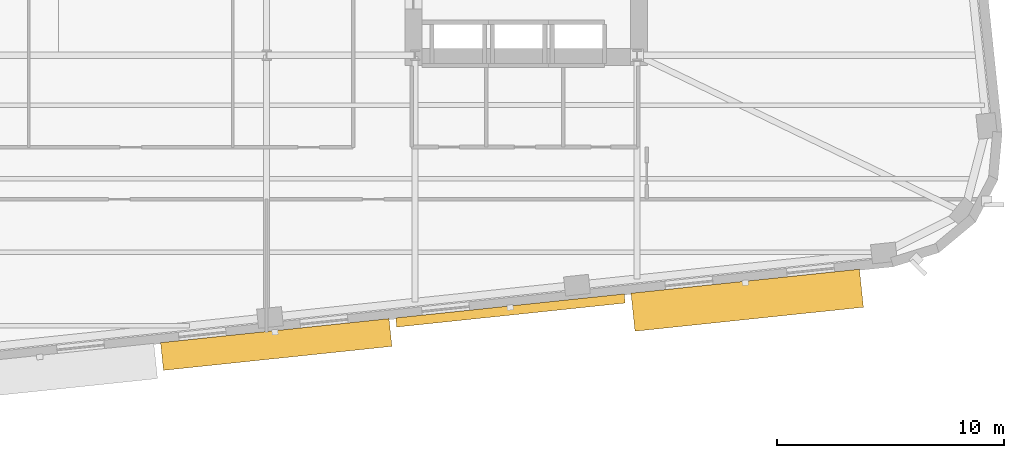
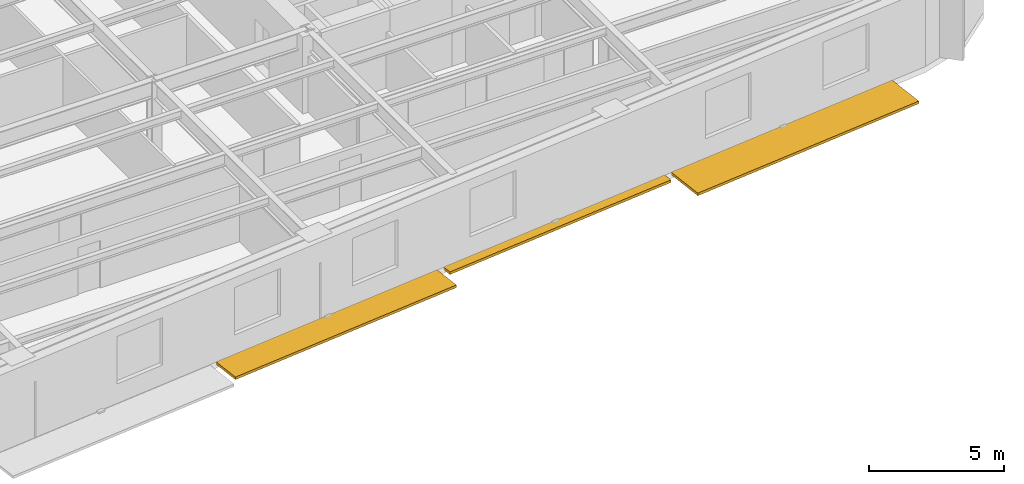
# One storey, part 10 of 14: 3 shading devices.
"""IFC4 building model written with IfcOpenShell, lengths in metres."""

from ifc_helpers import new_model, si_unit, direction, frame, origin, origin_2d, place, context, subcontext, project, spatial, rectangle, extrude, material, type_object, element, save


model = new_model("IFC4")

# Units and contexts
model_context = context("Model", 3, precision=1e-05, world=origin(), true_north=direction((0.0, 1.0)))
body_context = subcontext(model_context, "Body", "Model", "MODEL_VIEW")
ifc_project = project(units=[si_unit("LENGTHUNIT", "METRE"), si_unit("AREAUNIT", "SQUARE_METRE"), si_unit("VOLUMEUNIT", "CUBIC_METRE"), si_unit("PLANEANGLEUNIT", "RADIAN"), si_unit("MASSUNIT", "GRAM", prefix="KILO")], contexts=[model_context])

# Site, building, storey
site_placement = place(None, origin())
site = spatial("IfcSite", under=ifc_project, at=site_placement, CompositionType="ELEMENT")
building_placement = place(site_placement, origin())
building = spatial("IfcBuilding", under=site, at=building_placement, Name="Kolvaren Arena Tower", CompositionType="ELEMENT")
storey_placement = place(building_placement, frame((0.0, 0.0, 130.75)))
storey = spatial("IfcBuildingStorey", under=building, at=storey_placement, Name="L30", CompositionType="ELEMENT", Elevation=130.75)

# Shading devices
ifc_material = material(Name="Architectural precast GFRC and anodised aluminium sunshade", Category="concrete")
shading_device_type_1 = type_object("IfcShadingDeviceType", Name="SHAD-SINE-A", PredefinedType="USERDEFINED", material=ifc_material)
shading_device_1_placement = place(storey_placement, frame((54.7626953125, 8.18115234375, -0.14013671875), z_axis=(0.0, 0.0, 1.0), x_axis=(-0.994522077803, -0.104526727499, 0.0)))
element("IfcShadingDevice", 1, at=shading_device_1_placement, inside=storey, type_object=shading_device_type_1, Name="Sinusoidal Slab-Edge Sunshade Louvre (L30)", ObjectType="LOUVRE", PredefinedType="USERDEFINED", context=body_context, shape_type="SweptSolid", body=[
    extrude(rectangle(XDim=10.139892578125, YDim=0.40625, at=origin_2d()), origin(), (0.0, 0.0, 1.0), 0.1201171875),
])
shading_device_2_placement = place(storey_placement, frame((44.4228515625, 6.68017578125, -0.14013671875), z_axis=(0.0, 0.0, 1.0), x_axis=(-0.994522077803, -0.104526727499, 0.0)))
element("IfcShadingDevice", 2, at=shading_device_2_placement, inside=storey, type_object=shading_device_type_1, Name="Sinusoidal Slab-Edge Sunshade Louvre (L30)", ObjectType="LOUVRE", PredefinedType="USERDEFINED", context=body_context, shape_type="SweptSolid", body=[
    extrude(rectangle(XDim=10.139892578125, YDim=1.23046875, at=origin_2d()), origin(), (0.0, 0.0, 1.0), 0.1201171875),
])
shading_device_type_2 = type_object("IfcShadingDeviceType", Name="SHAD-SINE-B", PredefinedType="JALOUSIE", material=ifc_material)
shading_device_3_placement = place(storey_placement, frame((65.21240234375, 8.634765625, -0.14013671875), z_axis=(0.0, 0.0, 1.0), x_axis=(-0.994522077803, -0.104526727499, 0.0)))
element("IfcShadingDevice", 3, at=shading_device_3_placement, inside=storey, type_object=shading_device_type_2, Name="Sinusoidal Slab-Edge Sunshade Louvre (L30)", PredefinedType="JALOUSIE", context=body_context, shape_type="SweptSolid", body=[
    extrude(rectangle(XDim=10.139892578125, YDim=1.688720703125, at=origin_2d()), origin(), (0.0, 0.0, 1.0), 0.1201171875),
])

save(model, "model.ifc")
